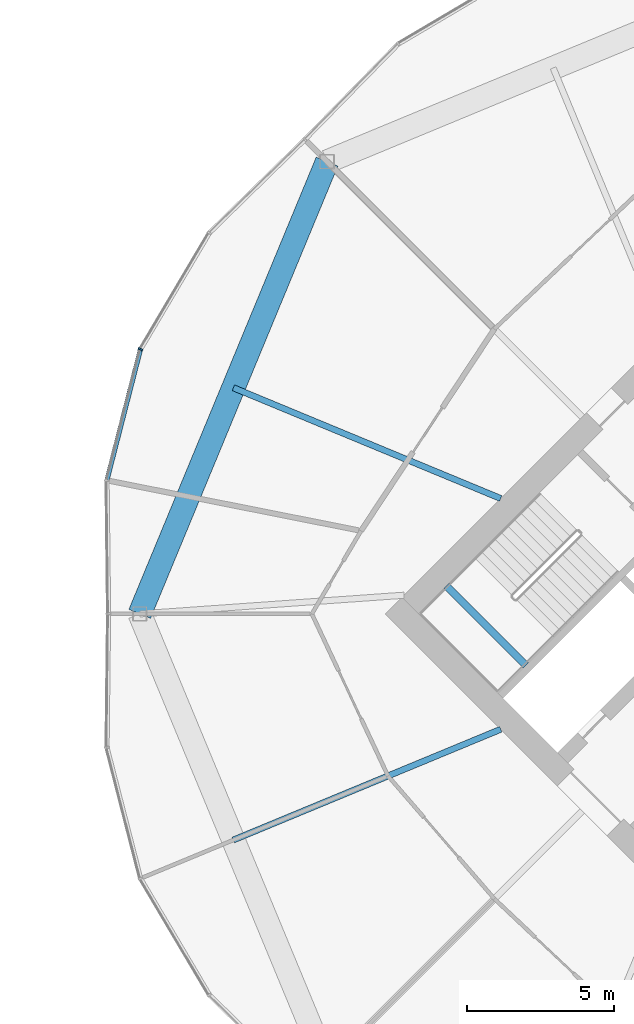
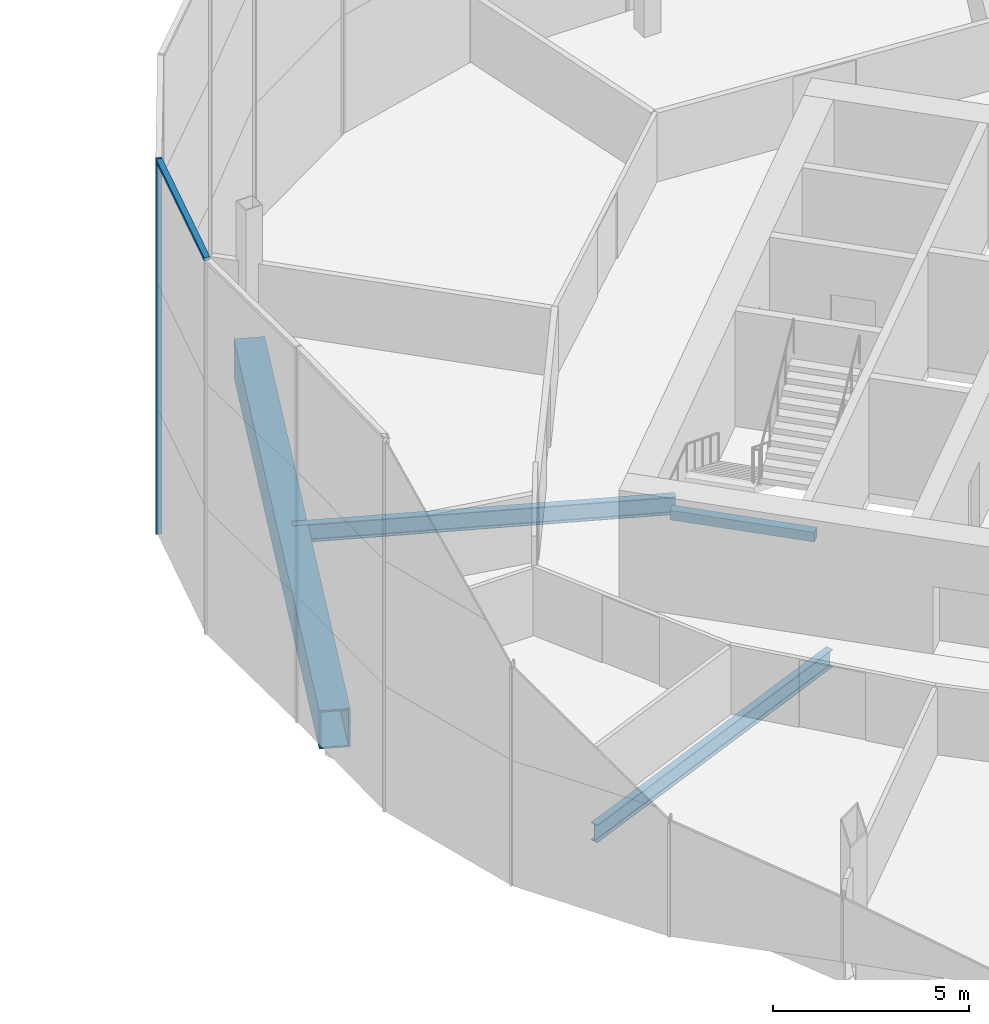
# One storey, part 11 of 25: 4 beams, 2 members, 1 element without a shape of its own.
"""IFC4 building model written with IfcOpenShell, lengths in metres."""

from ifc_helpers import new_model, si_unit, direction, frame, origin, origin_2d, place, context, subcontext, project, spatial, rectangle, hollow_rectangle, i_section, extrude, material, material_profile, profile_set, type_object, element, aggregate, save


model = new_model("IFC4")

# Units and contexts
model_context = context("Model", 3, precision=1e-05, world=origin(), true_north=direction((0.0, 1.0)))
body_context = subcontext(model_context, "Body", "Model", "MODEL_VIEW")
ifc_project = project(units=[si_unit("LENGTHUNIT", "METRE"), si_unit("AREAUNIT", "SQUARE_METRE"), si_unit("VOLUMEUNIT", "CUBIC_METRE"), si_unit("PLANEANGLEUNIT", "RADIAN"), si_unit("MASSUNIT", "GRAM", prefix="KILO")], contexts=[model_context])

# Site, building, storey
site_placement = place(None, origin())
site = spatial("IfcSite", under=ifc_project, at=site_placement, CompositionType="ELEMENT")
building_placement = place(site_placement, origin())
building = spatial("IfcBuilding", under=site, at=building_placement, Name="Ogive Gate Towers", CompositionType="ELEMENT")
storey_placement = place(building_placement, frame((0.0, 0.0, 44.10009765625)))
storey = spatial("IfcBuildingStorey", under=building, at=storey_placement, Name="L09", CompositionType="ELEMENT", Elevation=44.10009765625)

# Beams
ifc_material_1 = material(Name="Steel SM460", Category="steel")
ifc_material_profile_1 = material_profile(ifc_material_1, hollow_rectangle(XDim=0.800048828125, YDim=1.199951171875, WallThickness=0.050048828125, at=origin_2d()), Name="BX 1200x800x50")
ifc_profile_set_1 = profile_set([ifc_material_profile_1], Name="Steel SM460")
beam_type_1 = type_object("IfcBeamType", Name="Edge girder BX 1200x800x50", PredefinedType="BEAM", material=ifc_profile_set_1)
beam_1_placement = place(storey_placement, frame((20.577880859375, 15.422119140625, -0.900146484375), z_axis=(-0.382677733282, -0.923881893128, 0.0), x_axis=(0.923881893128, -0.382677733282, 0.0)))
element("IfcBeam", 1, at=beam_1_placement, inside=storey, type_object=beam_type_1, Name="T2/L09/SBM023", PredefinedType="BEAM", context=body_context, shape_type="SweptSolid", body=[
    extrude(hollow_rectangle(XDim=0.800048828125, YDim=1.199951171875, WallThickness=0.050048828125, at=origin_2d()), origin(), (0.0, 0.0, 1.0), 16.692626953125),
])
ifc_material_2 = material(Name="Concrete C40/50", Category="concrete")
ifc_material_profile_2 = material_profile(ifc_material_2, rectangle(XDim=0.25, YDim=0.300048828125, at=origin_2d()), Name="RC 250x300")
ifc_profile_set_2 = profile_set([ifc_material_profile_2], Name="Concrete C40/50")
beam_type_2 = type_object("IfcBeamType", Name="Landing bearer RC 250x300", PredefinedType="BEAM", material=ifc_profile_set_2)
beam_2_placement = place(storey_placement, frame((24.650390625, 0.9541015625, 1.599853515625), z_axis=(0.707106781187, -0.707106781187, 0.0), x_axis=(0.707106781187, 0.707106781187, 0.0)))
element("IfcBeam", 2, at=beam_2_placement, inside=storey, type_object=beam_type_2, Name="T2 L09 stair 1 landing bearer 1", PredefinedType="BEAM", context=body_context, shape_type="SweptSolid", body=[
    extrude(rectangle(XDim=0.25, YDim=0.300048828125, at=origin_2d()), origin(), (0.0, 0.0, 1.0), 3.824951171875),
])
ifc_material_3 = material(Name="Steel SM355", Category="steel")
ifc_material_profile_3 = material_profile(ifc_material_3, i_section(OverallWidth=0.2099609375, OverallDepth=0.550048828125, WebThickness=0.010986328125, FlangeThickness=0.01708984375, FilletRadius=0.02392578125, at=origin_2d()), Name="IPE 550")
ifc_profile_set_3 = profile_set([ifc_material_profile_3], Name="Steel SM355")
beam_type_3 = type_object("IfcBeamType", Name="Radial floor beam IPE 550", PredefinedType="BEAM", material=ifc_profile_set_3)
for number, where, z_axis, x_axis, name in (
    (3, (26.5, 3.93505859375, -0.5751953125), (-0.923882333645, 0.38267666976, 0.0), (-0.38267666976, -0.923882333645, 0.0), "T2/L09/SBM014"),
    (4, (26.5, -3.93505859375, -0.5751953125), (-0.923882333645, -0.38267666976, 0.0), (0.38267666976, -0.923882333645, 0.0), "T2/L09/SBM016"),
):
    element("IfcBeam", number, at=place(storey_placement, frame(where, z_axis=z_axis, x_axis=x_axis)), inside=storey, type_object=beam_type_3, Name=name, PredefinedType="BEAM", context=body_context, shape_type="SweptSolid", body=[
        extrude(i_section(OverallWidth=0.2099609375, OverallDepth=0.550048828125, WebThickness=0.010986328125, FlangeThickness=0.01708984375, FilletRadius=0.02392578125, at=origin_2d()), origin(), (0.0, 0.0, 1.0), 9.866943359375),
    ])

# Curtain wall, members
ifc_material_4 = material(Name="Pale metal aluminium", Category="aluminium")
curtain_wall_type = type_object("IfcCurtainWallType", Name="Tower unitised wall, low zone", PredefinedType="NOTDEFINED", material=ifc_material_4)
curtain_wall_placement = place(storey_placement, origin())
curtain_wall = element("IfcCurtainWall", 5, at=curtain_wall_placement, inside=storey, type_object=curtain_wall_type, Name="CW1 T2 ECW04", PredefinedType="NOTDEFINED")
ifc_material_profile_4 = material_profile(ifc_material_4, rectangle(XDim=0.159912109375, YDim=0.06005859375, at=origin_2d()), Name="60 x 160 aluminium box")
ifc_profile_set_4 = profile_set([ifc_material_profile_4], Name="Pale metal aluminium")
member_type_1 = type_object("IfcMemberType", Name="Tower unitised wall, low zone mullion 60 x 160", PredefinedType="MULLION", material=ifc_profile_set_4)
member_1_placement = place(storey_placement, frame((14.214111328125, 9.02392578125, -0.300048828125), z_axis=(0.0, 0.0, 1.0), x_axis=(-0.923879532511, 0.382683432365, 0.0)))
member_1 = element("IfcMember", 6, at=member_1_placement, type_object=member_type_1, Name="CW1 mullion", PredefinedType="MULLION", context=body_context, shape_type="SweptSolid", body=[
    extrude(rectangle(XDim=0.159912109375, YDim=0.06005859375, at=origin_2d()), origin(), (0.0, 0.0, 1.0), 11.699951171875),
])
ifc_material_profile_5 = material_profile(ifc_material_4, rectangle(XDim=0.159912109375, YDim=0.10009765625, at=origin_2d()), Name="100 x 160 aluminium box")
ifc_profile_set_5 = profile_set([ifc_material_profile_5], Name="Pale metal aluminium")
member_type_2 = type_object("IfcMemberType", Name="Tower unitised wall, low zone transom 100 x 160", PredefinedType="USERDEFINED", material=ifc_profile_set_5)
member_2_placement = place(storey_placement, frame((14.20751953125, 8.997802734375, 11.349853515625), z_axis=(-0.248528665272, -0.968624541573, 0.0), x_axis=(0.968624541573, -0.248528665272, 0.0)))
member_2 = element("IfcMember", 7, at=member_2_placement, type_object=member_type_2, Name="CW1 transom", ObjectType="TRANSOM", PredefinedType="USERDEFINED", context=body_context, shape_type="SweptSolid", body=[
    extrude(rectangle(XDim=0.159912109375, YDim=0.10009765625, at=origin_2d()), origin(), (0.0, 0.0, 1.0), 4.55908203125),
])
aggregate(curtain_wall, [member_1, member_2])

save(model, "model.ifc")
